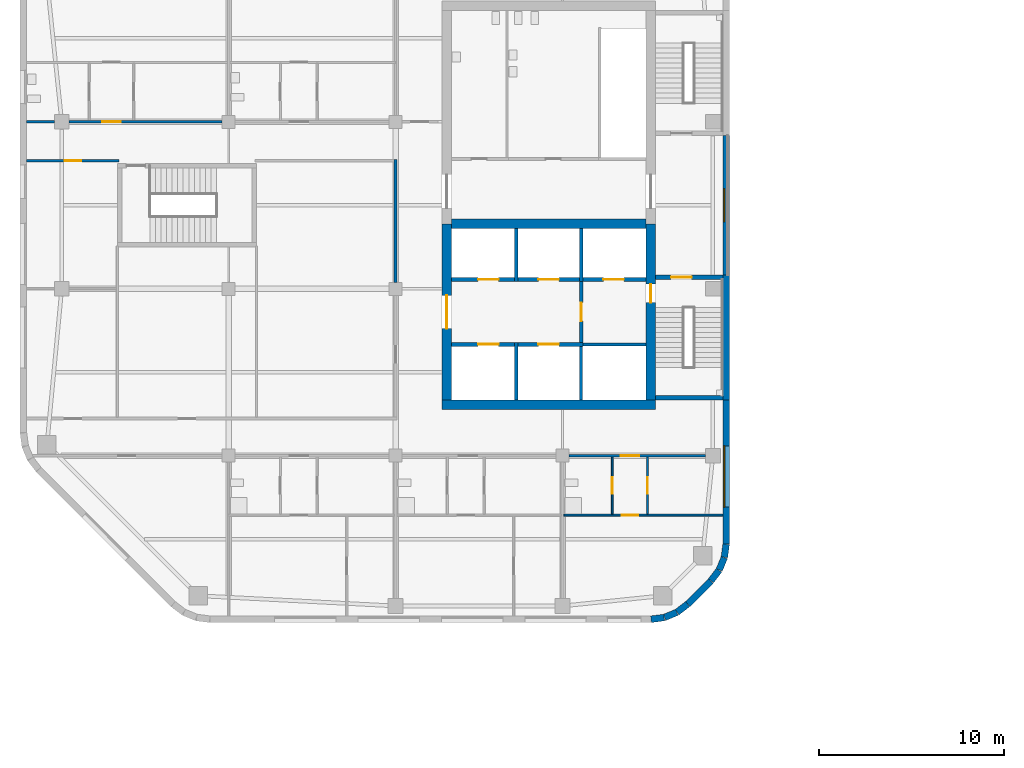
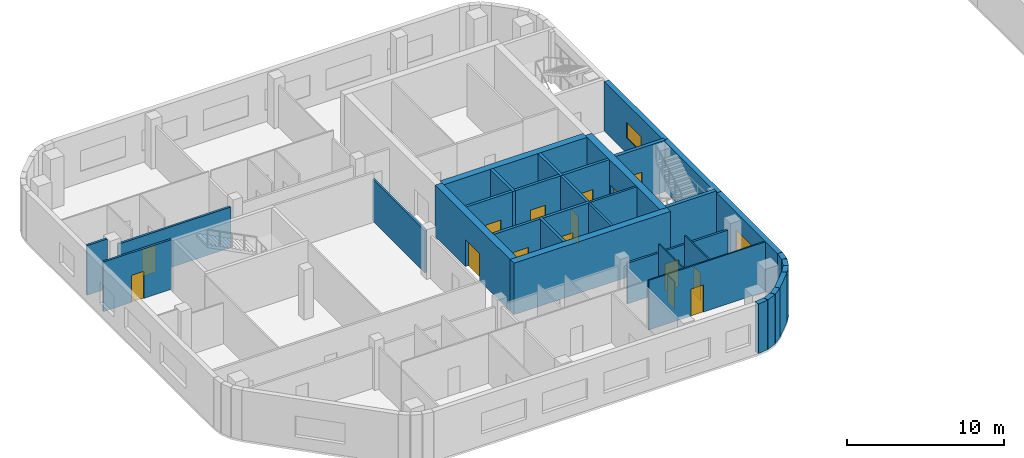
# One storey, part 6 of 16: 35 walls, 15 doors, 2 windows, 17 openings.
"""IFC4 building model written with IfcOpenShell, lengths in metres."""

from ifc_helpers import new_model, si_unit, direction, frame, frame_2d, origin, place, context, subcontext, project, spatial, rectangle, extrude, material, layer, layer_set, type_object, element, fill, save


model = new_model("IFC4")

# Units and contexts
model_context = context("Model", 3, precision=1e-05, world=origin(), true_north=direction((0.0, 1.0)))
body_context = subcontext(model_context, "Body", "Model", "MODEL_VIEW")
ifc_project = project(units=[si_unit("LENGTHUNIT", "METRE"), si_unit("AREAUNIT", "SQUARE_METRE"), si_unit("VOLUMEUNIT", "CUBIC_METRE"), si_unit("PLANEANGLEUNIT", "RADIAN"), si_unit("MASSUNIT", "GRAM", prefix="KILO")], contexts=[model_context])

# Site, building, storey
site_placement = place(None, origin())
site = spatial("IfcSite", under=ifc_project, at=site_placement, CompositionType="ELEMENT")
building_placement = place(site_placement, origin())
building = spatial("IfcBuilding", under=site, at=building_placement, Name="Cinnabar Reach Civic Tower", CompositionType="ELEMENT")
storey_placement = place(building_placement, frame((0.0, 0.0, 55.0)))
storey = spatial("IfcBuildingStorey", under=building, at=storey_placement, Name="L12", CompositionType="ELEMENT", Elevation=55.0)

# Walls
ifc_material_1 = material(Name="Facing brick with insulated backing", Category="masonry")
ifc_layer_1 = layer(ifc_material_1, 0.36)
ifc_layer_set_1 = layer_set([ifc_layer_1], Name="Brick corner wall")
wall_type_1 = type_object("IfcWallType", Name="Brick corner wall", PredefinedType="STANDARD", material=ifc_layer_set_1)
for number, where, z_axis, x_axis, name in (
    (1, (-31.2314, 9.183, 0.0), (0.0, 0.0, 1.0), (0.99144092581, 0.13055608231, 0.0), "Brick corner wall"),
    (2, (-30.5027, 9.2819, 0.0), (0.0, 0.0, 1.0), (0.923871547278, 0.382702709855, 0.0), "Brick corner wall"),
):
    element("IfcWall", number, at=place(storey_placement, frame(where, z_axis=z_axis, x_axis=x_axis)), inside=storey, type_object=wall_type_1, Name=name, PredefinedType="STANDARD", context=body_context, shape_type="SweptSolid", body=[
        extrude(rectangle(XDim=0.7131, YDim=0.36, at=frame_2d((0.3565, 0.0))), origin(), (0.0, 0.0, 1.0), 3.85),
    ])
for number, where, z_axis, x_axis, name in (
    (3, (-29.8245, 9.566, 0.0), (0.0, 0.0, 1.0), (0.793321924995, 0.608802368033, 0.0), "Brick corner wall"),
    (4, (-28.0002, 11.2587, 0.0), (0.0, 0.0, 1.0), (0.608802368033, 0.793321924995, 0.0), "Brick corner wall"),
):
    element("IfcWall", number, at=place(storey_placement, frame(where, z_axis=z_axis, x_axis=x_axis)), inside=storey, type_object=wall_type_1, Name=name, PredefinedType="STANDARD", context=body_context, shape_type="SweptSolid", body=[
        extrude(rectangle(XDim=0.7132, YDim=0.36, at=frame_2d((0.3566, 0.0))), origin(), (0.0, 0.0, 1.0), 3.85),
    ])
for number, where, z_axis, x_axis, name in (
    (5, (-27.5548, 11.8439, 0.0), (0.0, 0.0, 1.0), (0.382702709855, 0.923871547278, 0.0), "Brick corner wall"),
    (6, (-27.2761, 12.5244, 0.0), (0.0, 0.0, 1.0), (0.13055608231, 0.99144092581, 0.0), "Brick corner wall"),
):
    element("IfcWall", number, at=place(storey_placement, frame(where, z_axis=z_axis, x_axis=x_axis)), inside=storey, type_object=wall_type_1, Name=name, PredefinedType="STANDARD", context=body_context, shape_type="SweptSolid", body=[
        extrude(rectangle(XDim=0.7131, YDim=0.36, at=frame_2d((0.3565, 0.0))), origin(), (0.0, 0.0, 1.0), 3.85),
    ])
ifc_layer_2 = layer(ifc_material_1, 0.36)
ifc_layer_set_2 = layer_set([ifc_layer_2], Name="Brick pier and spandrel wall")
wall_type_2 = type_object("IfcWallType", Name="Brick pier and spandrel wall", PredefinedType="STANDARD", material=ifc_layer_set_2)
wall_1_placement = place(storey_placement, frame((-29.2486, 10.006, 0.0), z_axis=(0.0, 0.0, 1.0), x_axis=(0.707106781187, 0.707106781187, 0.0)))
element("IfcWall", 7, at=wall_1_placement, inside=storey, type_object=wall_type_2, Name="Brick facade wall", PredefinedType="STANDARD", context=body_context, shape_type="SweptSolid", body=[
    extrude(rectangle(XDim=1.7573, YDim=0.36, at=frame_2d((0.8787, 0.0))), origin(), (0.0, 0.0, 1.0), 3.85),
])

# Wall, opening, window
wall_2_placement = place(storey_placement, frame((-27.18, 13.2426, 0.0), z_axis=(0.0, 0.0, 1.0), x_axis=(0.0, 1.0, 0.0)))
wall_2 = element("IfcWall", 8, at=wall_2_placement, inside=storey, type_object=wall_type_2, Name="Brick facade wall", PredefinedType="STANDARD", context=body_context, shape_type="SweptSolid", body=[
    extrude(rectangle(XDim=7.7574, YDim=0.36, at=frame_2d((3.8787, 0.0))), origin(), (0.0, 0.0, 1.0), 3.85),
])
opening_1_placement = place(wall_2_placement, frame((1.9824, 0.0, 0.9)))
opening_1 = element("IfcOpeningElement", 9, at=opening_1_placement, cuts=wall_2, Name="Opening W2502", PredefinedType="OPENING", context=body_context, shape_type="SweptSolid", body=[
    extrude(rectangle(XDim=3.3, YDim=1.6, at=frame_2d((1.65, 0.8))), frame((0.0, 0.19, 0.0), z_axis=(0.0, -1.0, 0.0), x_axis=(1.0, 0.0, 0.0)), (0.0, 0.0, 1.0), 0.38),
])
ifc_material_2 = material(Name="Clear double glazing in aluminium frame", Category="aluminium")
window_type_1 = type_object("IfcWindowType", Name="Deep-set window A", PartitioningType="SINGLE_PANEL", PredefinedType="WINDOW", material=ifc_material_2)
window_1_placement = place(opening_1_placement, origin())
window_1 = element("IfcWindow", 10, at=window_1_placement, inside=storey, type_object=window_type_1, Name="Window east face", OverallHeight=1.6, OverallWidth=3.3, PartitioningType="SINGLE_PANEL", PredefinedType="WINDOW", context=body_context, shape_type="SweptSolid", body=[
    extrude(rectangle(XDim=3.3, YDim=1.6, at=frame_2d((1.65, 0.8))), frame((0.0, 0.13, 0.0), z_axis=(0.0, -1.0, 0.0), x_axis=(1.0, 0.0, 0.0)), (0.0, 0.0, 1.0), 0.06),
])
fill(opening_1, window_1)

# Wall
wall_3_placement = place(storey_placement, frame((-27.18, 21.0, 0.0), z_axis=(0.0, 0.0, 1.0), x_axis=(0.0, 1.0, 0.0)))
element("IfcWall", 11, at=wall_3_placement, inside=storey, type_object=wall_type_2, Name="Brick facade wall", PredefinedType="STANDARD", context=body_context, shape_type="SweptSolid", body=[
    extrude(rectangle(XDim=6.75, YDim=0.36, at=frame_2d((3.375, 0.0))), origin(), (0.0, 0.0, 1.0), 3.85),
])

# Wall, opening, window
wall_4_placement = place(storey_placement, frame((-27.18, 27.75, 0.0), z_axis=(0.0, 0.0, 1.0), x_axis=(0.0, 1.0, 0.0)))
wall_4 = element("IfcWall", 12, at=wall_4_placement, inside=storey, type_object=wall_type_2, Name="Brick facade wall", PredefinedType="STANDARD", context=body_context, shape_type="SweptSolid", body=[
    extrude(rectangle(XDim=7.5, YDim=0.36, at=frame_2d((3.75, 0.0))), origin(), (0.0, 0.0, 1.0), 3.85),
])
opening_2_placement = place(wall_4_placement, frame((2.85, 0.0, 1.2)))
opening_2 = element("IfcOpeningElement", 13, at=opening_2_placement, cuts=wall_4, Name="Opening W2503", PredefinedType="OPENING", context=body_context, shape_type="SweptSolid", body=[
    extrude(rectangle(XDim=1.8, YDim=1.2, at=frame_2d((0.9, 0.6))), frame((0.0, 0.19, 0.0), z_axis=(0.0, -1.0, 0.0), x_axis=(1.0, 0.0, 0.0)), (0.0, 0.0, 1.0), 0.38),
])
window_type_2 = type_object("IfcWindowType", Name="Deep-set window C", PartitioningType="SINGLE_PANEL", PredefinedType="WINDOW", material=ifc_material_2)
window_2_placement = place(opening_2_placement, origin())
window_2 = element("IfcWindow", 14, at=window_2_placement, inside=storey, type_object=window_type_2, Name="Window east face", OverallHeight=1.2, OverallWidth=1.8, PartitioningType="SINGLE_PANEL", PredefinedType="WINDOW", context=body_context, shape_type="SweptSolid", body=[
    extrude(rectangle(XDim=1.8, YDim=1.2, at=frame_2d((0.9, 0.6))), frame((0.0, 0.13, 0.0), z_axis=(0.0, -1.0, 0.0), x_axis=(1.0, 0.0, 0.0)), (0.0, 0.0, 1.0), 0.06),
])
fill(opening_2, window_2)

# Wall
ifc_material_3 = material(Name="Concrete C60", Category="concrete")
ifc_layer_3 = layer(ifc_material_3, 0.5)
ifc_layer_set_3 = layer_set([ifc_layer_3], Name="Core wall 500 EI 180")
wall_type_3 = type_object("IfcWallType", Name="Core wall 500 EI 180", PredefinedType="SOLIDWALL", material=ifc_layer_set_3)
wall_5_placement = place(storey_placement, frame((-42.5, 20.75, 0.0), z_axis=(0.0, 0.0, 1.0), x_axis=(1.0, 0.0, 0.0)))
element("IfcWall", 15, at=wall_5_placement, inside=storey, type_object=wall_type_3, Name="Core wall T2 L12 S", PredefinedType="SOLIDWALL", context=body_context, shape_type="SweptSolid", body=[
    extrude(rectangle(XDim=11.5, YDim=0.5, at=frame_2d((5.75, 0.0))), origin(), (0.0, 0.0, 1.0), 4.0),
])

# Wall, opening, door
wall_6_placement = place(storey_placement, frame((-31.25, 21.0, 0.0), z_axis=(0.0, 0.0, 1.0), x_axis=(0.0, 1.0, 0.0)))
wall_6 = element("IfcWall", 16, at=wall_6_placement, inside=storey, type_object=wall_type_3, Name="Core wall T2 L12 E", PredefinedType="SOLIDWALL", context=body_context, shape_type="SweptSolid", body=[
    extrude(rectangle(XDim=9.5, YDim=0.5, at=frame_2d((4.75, 0.0))), origin(), (0.0, 0.0, 1.0), 4.0),
])
opening_3_placement = place(wall_6_placement, frame((5.25, 0.0, 0.0)))
opening_3 = element("IfcOpeningElement", 17, at=opening_3_placement, cuts=wall_6, Name="Opening D6447", PredefinedType="OPENING", context=body_context, shape_type="SweptSolid", body=[
    extrude(rectangle(XDim=1.0, YDim=2.1, at=frame_2d((0.5, 1.05))), frame((0.0, 0.26, 0.0), z_axis=(0.0, -1.0, 0.0), x_axis=(1.0, 0.0, 0.0)), (0.0, 0.0, 1.0), 0.52),
])
ifc_material_4 = material(Name="Steel fire door", Category="steel")
door_type_1 = type_object("IfcDoorType", Name="T2 Firefighting lobby door 1000", OperationType="SINGLE_SWING_LEFT", PredefinedType="DOOR", material=ifc_material_4)
door_1_placement = place(opening_3_placement, frame((1.0, 0.0, 0.0), z_axis=(0.0, 0.0, 1.0), x_axis=(-1.0, 0.0, 0.0)))
door_1 = element("IfcDoor", 18, at=door_1_placement, inside=storey, type_object=door_type_1, Name="T2 Firefighting lobby door D6447", OperationType="SINGLE_SWING_LEFT", OverallHeight=2.1, OverallWidth=1.0, PredefinedType="DOOR", context=body_context, shape_type="SweptSolid", body=[
    extrude(rectangle(XDim=1.0, YDim=2.1, at=frame_2d((0.5, 1.05))), frame((0.0, 0.025, 0.0), z_axis=(0.0, -1.0, 0.0), x_axis=(1.0, 0.0, 0.0)), (0.0, 0.0, 1.0), 0.05),
])
fill(opening_3, door_1)

wall_7_placement = place(storey_placement, frame((-42.25, 30.5, 0.0), z_axis=(0.0, 0.0, 1.0), x_axis=(0.0, -1.0, 0.0)))
wall_7 = element("IfcWall", 19, at=wall_7_placement, inside=storey, type_object=wall_type_3, Name="Core wall T2 L12 W2", PredefinedType="SOLIDWALL", context=body_context, shape_type="SweptSolid", body=[
    extrude(rectangle(XDim=9.5, YDim=0.5, at=frame_2d((4.75, 0.0))), origin(), (0.0, 0.0, 1.0), 4.0),
])
opening_4_placement = place(wall_7_placement, frame((3.85, 0.0, 0.0)))
opening_4 = element("IfcOpeningElement", 20, at=opening_4_placement, cuts=wall_7, Name="Opening D6451", PredefinedType="OPENING", context=body_context, shape_type="SweptSolid", body=[
    extrude(rectangle(XDim=1.8, YDim=2.1, at=frame_2d((0.9, 1.05))), frame((0.0, 0.26, 0.0), z_axis=(0.0, -1.0, 0.0), x_axis=(1.0, 0.0, 0.0)), (0.0, 0.0, 1.0), 0.52),
])
door_type_2 = type_object("IfcDoorType", Name="T2 Double door 1800", OperationType="DOUBLE_DOOR_SINGLE_SWING", PredefinedType="DOOR", material=ifc_material_4)
door_2_placement = place(opening_4_placement, origin())
door_2 = element("IfcDoor", 21, at=door_2_placement, inside=storey, type_object=door_type_2, Name="T2 Double door D6451", OperationType="DOUBLE_DOOR_SINGLE_SWING", OverallHeight=2.1, OverallWidth=1.8, PredefinedType="DOOR", context=body_context, shape_type="SweptSolid", body=[
    extrude(rectangle(XDim=1.8, YDim=2.1, at=frame_2d((0.9, 1.05))), frame((0.0, 0.025, 0.0), z_axis=(0.0, -1.0, 0.0), x_axis=(1.0, 0.0, 0.0)), (0.0, 0.0, 1.0), 0.05),
])
fill(opening_4, door_2)

# Wall
wall_8_placement = place(storey_placement, frame((-42.0, 30.5, 0.0), z_axis=(0.0, 0.0, 1.0), x_axis=(1.0, 0.0, 0.0)))
element("IfcWall", 22, at=wall_8_placement, inside=storey, type_object=wall_type_3, Name="Core spine wall T2 L12", PredefinedType="SOLIDWALL", context=body_context, shape_type="SweptSolid", body=[
    extrude(rectangle(XDim=10.5, YDim=0.5, at=frame_2d((5.25, 0.0))), origin(), (0.0, 0.0, 1.0), 4.0),
])

# Wall, opening, door
ifc_material_5 = material(Name="Gypsum board on steel studs, double layer", Category="steel")
ifc_layer_4 = layer(ifc_material_5, 0.15)
ifc_layer_set_4 = layer_set([ifc_layer_4], Name="Corridor wall 150 T2")
wall_type_4 = type_object("IfcWallType", Name="Corridor wall 150 T2", PredefinedType="PARTITIONING", material=ifc_layer_set_4)
wall_9_placement = place(storey_placement, frame((-35.65, 18.0, 0.0), z_axis=(0.0, 0.0, 1.0), x_axis=(1.0, 0.0, 0.0)))
wall_9 = element("IfcWall", 23, at=wall_9_placement, inside=storey, type_object=wall_type_4, Name="Corridor wall 1", PredefinedType="PARTITIONING", context=body_context, shape_type="SweptSolid", body=[
    extrude(rectangle(XDim=7.35, YDim=0.15, at=frame_2d((3.675, 0.0))), origin(), (0.0, 0.0, 1.0), 3.158),
])
opening_5_placement = place(wall_9_placement, frame((2.7784, 0.0, 0.0)))
opening_5 = element("IfcOpeningElement", 24, at=opening_5_placement, cuts=wall_9, Name="Opening D6470", PredefinedType="OPENING", context=body_context, shape_type="SweptSolid", body=[
    extrude(rectangle(XDim=1.0, YDim=2.1, at=frame_2d((0.5, 1.05))), frame((0.0, 0.085, 0.0), z_axis=(0.0, -1.0, 0.0), x_axis=(1.0, 0.0, 0.0)), (0.0, 0.0, 1.0), 0.17),
])
ifc_material_6 = material(Name="Timber door leaf in steel frame", Category="steel")
door_type_3 = type_object("IfcDoorType", Name="Tenancy entrance door 1000 x 2100 T2", OperationType="SINGLE_SWING_LEFT", PredefinedType="DOOR", material=ifc_material_6)
door_3_placement = place(opening_5_placement, frame((1.0, 0.0, 0.0), z_axis=(0.0, 0.0, 1.0), x_axis=(-1.0, 0.0, 0.0)))
door_3 = element("IfcDoor", 25, at=door_3_placement, inside=storey, type_object=door_type_3, Name="Door D6470", OperationType="SINGLE_SWING_LEFT", OverallHeight=2.1, OverallWidth=1.0, PredefinedType="DOOR", context=body_context, shape_type="SweptSolid", body=[
    extrude(rectangle(XDim=1.0, YDim=2.1, at=frame_2d((0.5, 1.05))), frame((0.0, 0.025, 0.0), z_axis=(0.0, -1.0, 0.0), x_axis=(1.0, 0.0, 0.0)), (0.0, 0.0, 1.0), 0.05),
])
fill(opening_5, door_3)

wall_10_placement = place(storey_placement, frame((-62.6, 36.0, 0.0), z_axis=(0.0, 0.0, 1.0), x_axis=(1.0, 0.0, 0.0)))
wall_10 = element("IfcWall", 26, at=wall_10_placement, inside=storey, type_object=wall_type_4, Name="Corridor wall 7", PredefinedType="PARTITIONING", context=body_context, shape_type="SweptSolid", body=[
    extrude(rectangle(XDim=8.25, YDim=0.15, at=frame_2d((4.125, 0.0))), origin(), (0.0, 0.0, 1.0), 3.158),
])
opening_6_placement = place(wall_10_placement, frame((1.7859, 0.0, 0.0)))
opening_6 = element("IfcOpeningElement", 27, at=opening_6_placement, cuts=wall_10, Name="Opening D6474", PredefinedType="OPENING", context=body_context, shape_type="SweptSolid", body=[
    extrude(rectangle(XDim=1.0, YDim=2.1, at=frame_2d((0.5, 1.05))), frame((0.0, 0.085, 0.0), z_axis=(0.0, -1.0, 0.0), x_axis=(1.0, 0.0, 0.0)), (0.0, 0.0, 1.0), 0.17),
])
door_4_placement = place(opening_6_placement, origin())
door_4 = element("IfcDoor", 28, at=door_4_placement, inside=storey, type_object=door_type_3, Name="Door D6474", OperationType="SINGLE_SWING_LEFT", OverallHeight=2.1, OverallWidth=1.0, PredefinedType="DOOR", context=body_context, shape_type="SweptSolid", body=[
    extrude(rectangle(XDim=1.0, YDim=2.1, at=frame_2d((0.5, 1.05))), frame((0.0, 0.025, 0.0), z_axis=(0.0, -1.0, 0.0), x_axis=(1.0, 0.0, 0.0)), (0.0, 0.0, 1.0), 0.05),
])
fill(opening_6, door_4)

# Walls
wall_11_placement = place(storey_placement, frame((-64.89, 36.0, 0.0), z_axis=(0.0, 0.0, 1.0), x_axis=(1.0, 0.0, 0.0)))
element("IfcWall", 29, at=wall_11_placement, inside=storey, type_object=wall_type_4, Name="Corridor wall 8", PredefinedType="PARTITIONING", context=body_context, shape_type="SweptSolid", body=[
    extrude(rectangle(XDim=1.49, YDim=0.15, at=frame_2d((0.745, 0.0))), origin(), (0.0, 0.0, 1.0), 3.85),
])
wall_12_placement = place(storey_placement, frame((-45.0, 27.35, 0.0), z_axis=(0.0, 0.0, 1.0), x_axis=(0.0, 1.0, 0.0)))
element("IfcWall", 30, at=wall_12_placement, inside=storey, type_object=wall_type_4, Name="Corridor wall 11", PredefinedType="PARTITIONING", context=body_context, shape_type="SweptSolid", body=[
    extrude(rectangle(XDim=6.625, YDim=0.15, at=frame_2d((3.3125, 0.0))), origin(), (0.0, 0.0, 1.0), 3.256),
])

# Wall, opening, door
wall_13_placement = place(storey_placement, frame((-64.89, 33.9, 0.0), z_axis=(0.0, 0.0, 1.0), x_axis=(1.0, 0.0, 0.0)))
wall_13 = element("IfcWall", 31, at=wall_13_placement, inside=storey, type_object=wall_type_4, Name="Corridor wall 13", PredefinedType="PARTITIONING", context=body_context, shape_type="SweptSolid", body=[
    extrude(rectangle(XDim=4.965, YDim=0.15, at=frame_2d((2.4825, 0.0))), origin(), (0.0, 0.0, 1.0), 3.85),
])
opening_7_placement = place(wall_13_placement, frame((2.05, 0.0, 0.0)))
opening_7 = element("IfcOpeningElement", 32, at=opening_7_placement, cuts=wall_13, Name="Opening D6480", PredefinedType="OPENING", context=body_context, shape_type="SweptSolid", body=[
    extrude(rectangle(XDim=0.9, YDim=2.1, at=frame_2d((0.45, 1.05))), frame((0.0, 0.085, 0.0), z_axis=(0.0, -1.0, 0.0), x_axis=(1.0, 0.0, 0.0)), (0.0, 0.0, 1.0), 0.17),
])
door_type_4 = type_object("IfcDoorType", Name="Single swing door 900 x 2100 T2", OperationType="SINGLE_SWING_LEFT", PredefinedType="DOOR", material=ifc_material_6)
door_5_placement = place(opening_7_placement, frame((0.9, 0.0, 0.0), z_axis=(0.0, 0.0, 1.0), x_axis=(-1.0, 0.0, 0.0)))
door_5 = element("IfcDoor", 33, at=door_5_placement, inside=storey, type_object=door_type_4, Name="Door D6480", OperationType="SINGLE_SWING_LEFT", OverallHeight=2.1, OverallWidth=0.9, PredefinedType="DOOR", context=body_context, shape_type="SweptSolid", body=[
    extrude(rectangle(XDim=0.9, YDim=2.1, at=frame_2d((0.45, 1.05))), frame((0.0, 0.025, 0.0), z_axis=(0.0, -1.0, 0.0), x_axis=(1.0, 0.0, 0.0)), (0.0, 0.0, 1.0), 0.05),
])
fill(opening_7, door_5)

ifc_material_7 = material(Name="Gypsum board on steel studs", Category="steel")
ifc_layer_5 = layer(ifc_material_7, 0.1)
ifc_layer_set_5 = layer_set([ifc_layer_5], Name="Partition wall 100 T2")
wall_type_5 = type_object("IfcWallType", Name="Partition wall 100 T2", PredefinedType="PARTITIONING", material=ifc_layer_set_5)
wall_14_placement = place(storey_placement, frame((-35.925, 14.8, 0.0), z_axis=(0.0, 0.0, 1.0), x_axis=(1.0, 0.0, 0.0)))
wall_14 = element("IfcWall", 34, at=wall_14_placement, inside=storey, type_object=wall_type_5, Name="Partition wall 19", PredefinedType="PARTITIONING", context=body_context, shape_type="SweptSolid", body=[
    extrude(rectangle(XDim=8.565, YDim=0.1, at=frame_2d((4.2825, 0.0))), origin(), (0.0, 0.0, 1.0), 3.85),
])
opening_8_placement = place(wall_14_placement, frame((3.1034, 0.0, 0.0)))
opening_8 = element("IfcOpeningElement", 35, at=opening_8_placement, cuts=wall_14, Name="Opening D6469", PredefinedType="OPENING", context=body_context, shape_type="SweptSolid", body=[
    extrude(rectangle(XDim=0.9, YDim=2.1, at=frame_2d((0.45, 1.05))), frame((0.0, 0.06, 0.0), z_axis=(0.0, -1.0, 0.0), x_axis=(1.0, 0.0, 0.0)), (0.0, 0.0, 1.0), 0.12),
])
door_6_placement = place(opening_8_placement, origin())
door_6 = element("IfcDoor", 36, at=door_6_placement, inside=storey, type_object=door_type_4, Name="Door D6469", OperationType="SINGLE_SWING_LEFT", OverallHeight=2.1, OverallWidth=0.9, PredefinedType="DOOR", context=body_context, shape_type="SweptSolid", body=[
    extrude(rectangle(XDim=0.9, YDim=2.1, at=frame_2d((0.45, 1.05))), frame((0.0, 0.025, 0.0), z_axis=(0.0, -1.0, 0.0), x_axis=(1.0, 0.0, 0.0)), (0.0, 0.0, 1.0), 0.05),
])
fill(opening_8, door_6)

wall_15_placement = place(storey_placement, frame((-33.3216, 14.85, 0.0), z_axis=(0.0, 0.0, 1.0), x_axis=(0.0, 1.0, 0.0)))
wall_15 = element("IfcWall", 37, at=wall_15_placement, inside=storey, type_object=wall_type_5, Name="Partition wall 40", PredefinedType="PARTITIONING", context=body_context, shape_type="SweptSolid", body=[
    extrude(rectangle(XDim=3.075, YDim=0.1, at=frame_2d((1.5375, 0.0))), origin(), (0.0, 0.0, 1.0), 3.85),
])
opening_9_placement = place(wall_15_placement, frame((1.1, 0.0, 0.0)))
opening_9 = element("IfcOpeningElement", 38, at=opening_9_placement, cuts=wall_15, Name="Opening D6467", PredefinedType="OPENING", context=body_context, shape_type="SweptSolid", body=[
    extrude(rectangle(XDim=0.9, YDim=2.1, at=frame_2d((0.45, 1.05))), frame((0.0, 0.06, 0.0), z_axis=(0.0, -1.0, 0.0), x_axis=(1.0, 0.0, 0.0)), (0.0, 0.0, 1.0), 0.12),
])
door_7_placement = place(opening_9_placement, origin())
door_7 = element("IfcDoor", 39, at=door_7_placement, inside=storey, type_object=door_type_4, Name="Door D6467", OperationType="SINGLE_SWING_RIGHT", OverallHeight=2.1, OverallWidth=0.9, PredefinedType="DOOR", context=body_context, shape_type="SweptSolid", body=[
    extrude(rectangle(XDim=0.9, YDim=2.1, at=frame_2d((0.45, 1.05))), frame((0.0, 0.025, 0.0), z_axis=(0.0, -1.0, 0.0), x_axis=(1.0, 0.0, 0.0)), (0.0, 0.0, 1.0), 0.05),
])
fill(opening_9, door_7)

wall_16_placement = place(storey_placement, frame((-31.4208, 14.85, 0.0), z_axis=(0.0, 0.0, 1.0), x_axis=(0.0, 1.0, 0.0)))
wall_16 = element("IfcWall", 40, at=wall_16_placement, inside=storey, type_object=wall_type_5, Name="Partition wall 41", PredefinedType="PARTITIONING", context=body_context, shape_type="SweptSolid", body=[
    extrude(rectangle(XDim=3.075, YDim=0.1, at=frame_2d((1.5375, 0.0))), origin(), (0.0, 0.0, 1.0), 3.85),
])
opening_10_placement = place(wall_16_placement, frame((1.1, 0.0, 0.0)))
opening_10 = element("IfcOpeningElement", 41, at=opening_10_placement, cuts=wall_16, Name="Opening D6468", PredefinedType="OPENING", context=body_context, shape_type="SweptSolid", body=[
    extrude(rectangle(XDim=0.9, YDim=2.1, at=frame_2d((0.45, 1.05))), frame((0.0, 0.06, 0.0), z_axis=(0.0, -1.0, 0.0), x_axis=(1.0, 0.0, 0.0)), (0.0, 0.0, 1.0), 0.12),
])
door_8_placement = place(opening_10_placement, origin())
door_8 = element("IfcDoor", 42, at=door_8_placement, inside=storey, type_object=door_type_4, Name="Door D6468", OperationType="SINGLE_SWING_RIGHT", OverallHeight=2.1, OverallWidth=0.9, PredefinedType="DOOR", context=body_context, shape_type="SweptSolid", body=[
    extrude(rectangle(XDim=0.9, YDim=2.1, at=frame_2d((0.45, 1.05))), frame((0.0, 0.025, 0.0), z_axis=(0.0, -1.0, 0.0), x_axis=(1.0, 0.0, 0.0)), (0.0, 0.0, 1.0), 0.05),
])
fill(opening_10, door_8)

# Wall
ifc_layer_6 = layer(ifc_material_3, 0.25)
ifc_layer_set_6 = layer_set([ifc_layer_6], Name="Stair shaft wall 250 EI 120")
wall_type_6 = type_object("IfcWallType", Name="Stair shaft wall 250 EI 120", PredefinedType="SOLIDWALL", material=ifc_layer_set_6)
wall_17_placement = place(storey_placement, frame((-31.0, 21.125, 0.0), z_axis=(0.0, 0.0, 1.0), x_axis=(1.0, 0.0, 0.0)))
element("IfcWall", 43, at=wall_17_placement, inside=storey, type_object=wall_type_6, Name="Stair shaft wall T2-S1 L12", PredefinedType="SOLIDWALL", context=body_context, shape_type="SweptSolid", body=[
    extrude(rectangle(XDim=3.64, YDim=0.25, at=frame_2d((1.82, 0.0))), origin(), (0.0, 0.0, 1.0), 4.0),
])

# Wall, opening, door
wall_18_placement = place(storey_placement, frame((-27.36, 27.625, 0.0), z_axis=(0.0, 0.0, 1.0), x_axis=(-1.0, 0.0, 0.0)))
wall_18 = element("IfcWall", 44, at=wall_18_placement, inside=storey, type_object=wall_type_6, Name="Stair shaft wall T2-S1 L12", PredefinedType="SOLIDWALL", context=body_context, shape_type="SweptSolid", body=[
    extrude(rectangle(XDim=3.64, YDim=0.25, at=frame_2d((1.82, 0.0))), origin(), (0.0, 0.0, 1.0), 4.0),
])
opening_11_placement = place(wall_18_placement, frame((1.69, 0.0, 0.0)))
opening_11 = element("IfcOpeningElement", 45, at=opening_11_placement, cuts=wall_18, Name="Opening D6448", PredefinedType="OPENING", context=body_context, shape_type="SweptSolid", body=[
    extrude(rectangle(XDim=1.1, YDim=2.1, at=frame_2d((0.55, 1.05))), frame((0.0, 0.135, 0.0), z_axis=(0.0, -1.0, 0.0), x_axis=(1.0, 0.0, 0.0)), (0.0, 0.0, 1.0), 0.27),
])
door_type_5 = type_object("IfcDoorType", Name="T2 Stair door 1100", OperationType="SINGLE_SWING_LEFT", PredefinedType="DOOR", material=ifc_material_4)
door_9_placement = place(opening_11_placement, origin())
door_9 = element("IfcDoor", 46, at=door_9_placement, inside=storey, type_object=door_type_5, Name="T2 Stair door D6448", OperationType="SINGLE_SWING_RIGHT", OverallHeight=2.1, OverallWidth=1.1, PredefinedType="DOOR", context=body_context, shape_type="SweptSolid", body=[
    extrude(rectangle(XDim=1.1, YDim=2.1, at=frame_2d((0.55, 1.05))), frame((0.0, 0.025, 0.0), z_axis=(0.0, -1.0, 0.0), x_axis=(1.0, 0.0, 0.0)), (0.0, 0.0, 1.0), 0.05),
])
fill(opening_11, door_9)

# Walls
ifc_material_8 = material(Name="Concrete C40", Category="concrete")
ifc_layer_7 = layer(ifc_material_8, 0.15)
ifc_layer_set_7 = layer_set([ifc_layer_7], Name="T2 Riser wall 150")
wall_type_7 = type_object("IfcWallType", Name="T2 Riser wall 150", PredefinedType="SOLIDWALL", material=ifc_layer_set_7)
wall_19_placement = place(storey_placement, frame((-35.0, 21.0, 0.0), z_axis=(0.0, 0.0, 1.0), x_axis=(0.0, 1.0, 0.0)))
element("IfcWall", 47, at=wall_19_placement, inside=storey, type_object=wall_type_7, Name="T2 Riser wall L12 010", PredefinedType="SOLIDWALL", context=body_context, shape_type="SweptSolid", body=[
    extrude(rectangle(XDim=2.9, YDim=0.15, at=frame_2d((1.45, 0.0))), origin(), (0.0, 0.0, 1.0), 4.0),
])
wall_20_placement = place(storey_placement, frame((-31.5, 24.0, 0.0), z_axis=(0.0, 0.0, 1.0), x_axis=(-1.0, 0.0, 0.0)))
element("IfcWall", 48, at=wall_20_placement, inside=storey, type_object=wall_type_7, Name="T2 Riser wall L12 011", PredefinedType="SOLIDWALL", context=body_context, shape_type="SweptSolid", body=[
    extrude(rectangle(XDim=3.4, YDim=0.15, at=frame_2d((1.7, 0.0))), origin(), (0.0, 0.0, 1.0), 4.0),
])
ifc_layer_8 = layer(ifc_material_8, 0.2)
ifc_layer_set_8 = layer_set([ifc_layer_8], Name="T2 Shaft wall 200")
wall_type_8 = type_object("IfcWallType", Name="T2 Shaft wall 200", PredefinedType="SOLIDWALL", material=ifc_layer_set_8)
wall_21_placement = place(storey_placement, frame((-38.5, 21.0, 0.0), z_axis=(0.0, 0.0, 1.0), x_axis=(0.0, 1.0, 0.0)))
element("IfcWall", 49, at=wall_21_placement, inside=storey, type_object=wall_type_8, Name="T2 Shaft wall L12 001", PredefinedType="SOLIDWALL", context=body_context, shape_type="SweptSolid", body=[
    extrude(rectangle(XDim=3.1, YDim=0.2, at=frame_2d((1.55, 0.0))), origin(), (0.0, 0.0, 1.0), 4.0),
])

# Wall, opening, door
wall_22_placement = place(storey_placement, frame((-38.6, 24.0, 0.0), z_axis=(0.0, 0.0, 1.0), x_axis=(-1.0, 0.0, 0.0)))
wall_22 = element("IfcWall", 50, at=wall_22_placement, inside=storey, type_object=wall_type_8, Name="T2 Shaft wall L12 002", PredefinedType="SOLIDWALL", context=body_context, shape_type="SweptSolid", body=[
    extrude(rectangle(XDim=3.4, YDim=0.2, at=frame_2d((1.7, 0.0))), origin(), (0.0, 0.0, 1.0), 4.0),
])
opening_12_placement = place(wall_22_placement, frame((0.85, 0.0, 0.0)))
opening_12 = element("IfcOpeningElement", 51, at=opening_12_placement, cuts=wall_22, Name="Opening D6441", PredefinedType="OPENING", context=body_context, shape_type="SweptSolid", body=[
    extrude(rectangle(XDim=1.1, YDim=2.1, at=frame_2d((0.55, 1.05))), frame((0.0, 0.11, 0.0), z_axis=(0.0, -1.0, 0.0), x_axis=(1.0, 0.0, 0.0)), (0.0, 0.0, 1.0), 0.22),
])
door_type_6 = type_object("IfcDoorType", Name="T2 Lift landing door 1100", OperationType="SLIDING_TO_LEFT", PredefinedType="DOOR", material=ifc_material_4)
door_10_placement = place(opening_12_placement, origin())
door_10 = element("IfcDoor", 52, at=door_10_placement, inside=storey, type_object=door_type_6, Name="T2 Lift landing door D6441", OperationType="SLIDING_TO_LEFT", OverallHeight=2.1, OverallWidth=1.1, PredefinedType="DOOR", context=body_context, shape_type="SweptSolid", body=[
    extrude(rectangle(XDim=1.1, YDim=2.1, at=frame_2d((0.55, 1.05))), frame((0.0, 0.025, 0.0), z_axis=(0.0, -1.0, 0.0), x_axis=(1.0, 0.0, 0.0)), (0.0, 0.0, 1.0), 0.05),
])
fill(opening_12, door_10)

wall_23_placement = place(storey_placement, frame((-34.9, 24.0, 0.0), z_axis=(0.0, 0.0, 1.0), x_axis=(-1.0, 0.0, 0.0)))
wall_23 = element("IfcWall", 53, at=wall_23_placement, inside=storey, type_object=wall_type_8, Name="T2 Shaft wall L12 003", PredefinedType="SOLIDWALL", context=body_context, shape_type="SweptSolid", body=[
    extrude(rectangle(XDim=3.5, YDim=0.2, at=frame_2d((1.75, 0.0))), origin(), (0.0, 0.0, 1.0), 4.0),
])
opening_13_placement = place(wall_23_placement, frame((1.3, 0.0, 0.0)))
opening_13 = element("IfcOpeningElement", 54, at=opening_13_placement, cuts=wall_23, Name="Opening D6442", PredefinedType="OPENING", context=body_context, shape_type="SweptSolid", body=[
    extrude(rectangle(XDim=1.1, YDim=2.1, at=frame_2d((0.55, 1.05))), frame((0.0, 0.11, 0.0), z_axis=(0.0, -1.0, 0.0), x_axis=(1.0, 0.0, 0.0)), (0.0, 0.0, 1.0), 0.22),
])
door_11_placement = place(opening_13_placement, origin())
door_11 = element("IfcDoor", 55, at=door_11_placement, inside=storey, type_object=door_type_6, Name="T2 Lift landing door D6442", OperationType="SLIDING_TO_LEFT", OverallHeight=2.1, OverallWidth=1.1, PredefinedType="DOOR", context=body_context, shape_type="SweptSolid", body=[
    extrude(rectangle(XDim=1.1, YDim=2.1, at=frame_2d((0.55, 1.05))), frame((0.0, 0.025, 0.0), z_axis=(0.0, -1.0, 0.0), x_axis=(1.0, 0.0, 0.0)), (0.0, 0.0, 1.0), 0.05),
])
fill(opening_13, door_11)

# Wall
wall_24_placement = place(storey_placement, frame((-38.5, 27.4, 0.0), z_axis=(0.0, 0.0, 1.0), x_axis=(0.0, 1.0, 0.0)))
element("IfcWall", 56, at=wall_24_placement, inside=storey, type_object=wall_type_8, Name="T2 Shaft wall L12 004", PredefinedType="SOLIDWALL", context=body_context, shape_type="SweptSolid", body=[
    extrude(rectangle(XDim=2.85, YDim=0.2, at=frame_2d((1.425, 0.0))), origin(), (0.0, 0.0, 1.0), 4.0),
])

# Wall, opening, door
wall_25_placement = place(storey_placement, frame((-42.0, 27.5, 0.0), z_axis=(0.0, 0.0, 1.0), x_axis=(1.0, 0.0, 0.0)))
wall_25 = element("IfcWall", 57, at=wall_25_placement, inside=storey, type_object=wall_type_8, Name="T2 Shaft wall L12 005", PredefinedType="SOLIDWALL", context=body_context, shape_type="SweptSolid", body=[
    extrude(rectangle(XDim=3.4, YDim=0.2, at=frame_2d((1.7, 0.0))), origin(), (0.0, 0.0, 1.0), 4.0),
])
opening_14_placement = place(wall_25_placement, frame((1.45, 0.0, 0.0)))
opening_14 = element("IfcOpeningElement", 58, at=opening_14_placement, cuts=wall_25, Name="Opening D6443", PredefinedType="OPENING", context=body_context, shape_type="SweptSolid", body=[
    extrude(rectangle(XDim=1.1, YDim=2.1, at=frame_2d((0.55, 1.05))), frame((0.0, 0.11, 0.0), z_axis=(0.0, -1.0, 0.0), x_axis=(1.0, 0.0, 0.0)), (0.0, 0.0, 1.0), 0.22),
])
door_12_placement = place(opening_14_placement, origin())
door_12 = element("IfcDoor", 59, at=door_12_placement, inside=storey, type_object=door_type_6, Name="T2 Lift landing door D6443", OperationType="SLIDING_TO_LEFT", OverallHeight=2.1, OverallWidth=1.1, PredefinedType="DOOR", context=body_context, shape_type="SweptSolid", body=[
    extrude(rectangle(XDim=1.1, YDim=2.1, at=frame_2d((0.55, 1.05))), frame((0.0, 0.025, 0.0), z_axis=(0.0, -1.0, 0.0), x_axis=(1.0, 0.0, 0.0)), (0.0, 0.0, 1.0), 0.05),
])
fill(opening_14, door_12)

# Wall
wall_26_placement = place(storey_placement, frame((-35.0, 27.4, 0.0), z_axis=(0.0, 0.0, 1.0), x_axis=(0.0, 1.0, 0.0)))
element("IfcWall", 60, at=wall_26_placement, inside=storey, type_object=wall_type_8, Name="T2 Shaft wall L12 006", PredefinedType="SOLIDWALL", context=body_context, shape_type="SweptSolid", body=[
    extrude(rectangle(XDim=2.85, YDim=0.2, at=frame_2d((1.425, 0.0))), origin(), (0.0, 0.0, 1.0), 4.0),
])

# Wall, opening, door
wall_27_placement = place(storey_placement, frame((-38.4, 27.5, 0.0), z_axis=(0.0, 0.0, 1.0), x_axis=(1.0, 0.0, 0.0)))
wall_27 = element("IfcWall", 61, at=wall_27_placement, inside=storey, type_object=wall_type_8, Name="T2 Shaft wall L12 007", PredefinedType="SOLIDWALL", context=body_context, shape_type="SweptSolid", body=[
    extrude(rectangle(XDim=3.3, YDim=0.2, at=frame_2d((1.65, 0.0))), origin(), (0.0, 0.0, 1.0), 4.0),
])
opening_15_placement = place(wall_27_placement, frame((1.1, 0.0, 0.0)))
opening_15 = element("IfcOpeningElement", 62, at=opening_15_placement, cuts=wall_27, Name="Opening D6444", PredefinedType="OPENING", context=body_context, shape_type="SweptSolid", body=[
    extrude(rectangle(XDim=1.1, YDim=2.1, at=frame_2d((0.55, 1.05))), frame((0.0, 0.11, 0.0), z_axis=(0.0, -1.0, 0.0), x_axis=(1.0, 0.0, 0.0)), (0.0, 0.0, 1.0), 0.22),
])
door_13_placement = place(opening_15_placement, origin())
door_13 = element("IfcDoor", 63, at=door_13_placement, inside=storey, type_object=door_type_6, Name="T2 Lift landing door D6444", OperationType="SLIDING_TO_LEFT", OverallHeight=2.1, OverallWidth=1.1, PredefinedType="DOOR", context=body_context, shape_type="SweptSolid", body=[
    extrude(rectangle(XDim=1.1, YDim=2.1, at=frame_2d((0.55, 1.05))), frame((0.0, 0.025, 0.0), z_axis=(0.0, -1.0, 0.0), x_axis=(1.0, 0.0, 0.0)), (0.0, 0.0, 1.0), 0.05),
])
fill(opening_15, door_13)

wall_28_placement = place(storey_placement, frame((-34.9, 27.5, 0.0), z_axis=(0.0, 0.0, 1.0), x_axis=(1.0, 0.0, 0.0)))
wall_28 = element("IfcWall", 64, at=wall_28_placement, inside=storey, type_object=wall_type_8, Name="T2 Shaft wall L12 008", PredefinedType="SOLIDWALL", context=body_context, shape_type="SweptSolid", body=[
    extrude(rectangle(XDim=3.4, YDim=0.2, at=frame_2d((1.7, 0.0))), origin(), (0.0, 0.0, 1.0), 4.0),
])
opening_16_placement = place(wall_28_placement, frame((1.1, 0.0, 0.0)))
opening_16 = element("IfcOpeningElement", 65, at=opening_16_placement, cuts=wall_28, Name="Opening D6445", PredefinedType="OPENING", context=body_context, shape_type="SweptSolid", body=[
    extrude(rectangle(XDim=1.1, YDim=2.1, at=frame_2d((0.55, 1.05))), frame((0.0, 0.11, 0.0), z_axis=(0.0, -1.0, 0.0), x_axis=(1.0, 0.0, 0.0)), (0.0, 0.0, 1.0), 0.22),
])
door_type_7 = type_object("IfcDoorType", Name="T2 Firefighting lift landing door 1100", OperationType="SLIDING_TO_LEFT", PredefinedType="DOOR", material=ifc_material_4)
door_14_placement = place(opening_16_placement, origin())
door_14 = element("IfcDoor", 66, at=door_14_placement, inside=storey, type_object=door_type_7, Name="T2 Firefighting lift landing door D6445", OperationType="SLIDING_TO_LEFT", OverallHeight=2.1, OverallWidth=1.1, PredefinedType="DOOR", context=body_context, shape_type="SweptSolid", body=[
    extrude(rectangle(XDim=1.1, YDim=2.1, at=frame_2d((0.55, 1.05))), frame((0.0, 0.025, 0.0), z_axis=(0.0, -1.0, 0.0), x_axis=(1.0, 0.0, 0.0)), (0.0, 0.0, 1.0), 0.05),
])
fill(opening_16, door_14)

wall_29_placement = place(storey_placement, frame((-35.0, 24.1, 0.0), z_axis=(0.0, 0.0, 1.0), x_axis=(0.0, 1.0, 0.0)))
wall_29 = element("IfcWall", 67, at=wall_29_placement, inside=storey, type_object=wall_type_8, Name="T2 Shaft wall L12 009", PredefinedType="SOLIDWALL", context=body_context, shape_type="SweptSolid", body=[
    extrude(rectangle(XDim=3.3, YDim=0.2, at=frame_2d((1.65, 0.0))), origin(), (0.0, 0.0, 1.0), 4.0),
])
opening_17_placement = place(wall_29_placement, frame((1.15, 0.0, 0.0)))
opening_17 = element("IfcOpeningElement", 68, at=opening_17_placement, cuts=wall_29, Name="Opening D6446", PredefinedType="OPENING", context=body_context, shape_type="SweptSolid", body=[
    extrude(rectangle(XDim=1.0, YDim=2.1, at=frame_2d((0.5, 1.05))), frame((0.0, 0.11, 0.0), z_axis=(0.0, -1.0, 0.0), x_axis=(1.0, 0.0, 0.0)), (0.0, 0.0, 1.0), 0.22),
])
door_15_placement = place(opening_17_placement, origin())
door_15 = element("IfcDoor", 69, at=door_15_placement, inside=storey, type_object=door_type_1, Name="T2 Firefighting lobby door D6446", OperationType="SINGLE_SWING_LEFT", OverallHeight=2.1, OverallWidth=1.0, PredefinedType="DOOR", context=body_context, shape_type="SweptSolid", body=[
    extrude(rectangle(XDim=1.0, YDim=2.1, at=frame_2d((0.5, 1.05))), frame((0.0, 0.025, 0.0), z_axis=(0.0, -1.0, 0.0), x_axis=(1.0, 0.0, 0.0)), (0.0, 0.0, 1.0), 0.05),
])
fill(opening_17, door_15)

save(model, "model.ifc")
